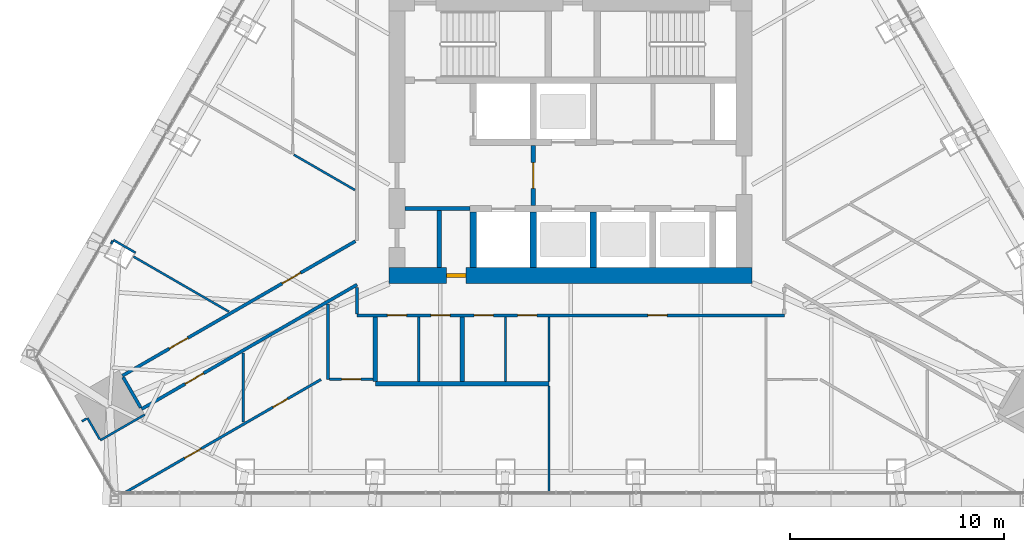
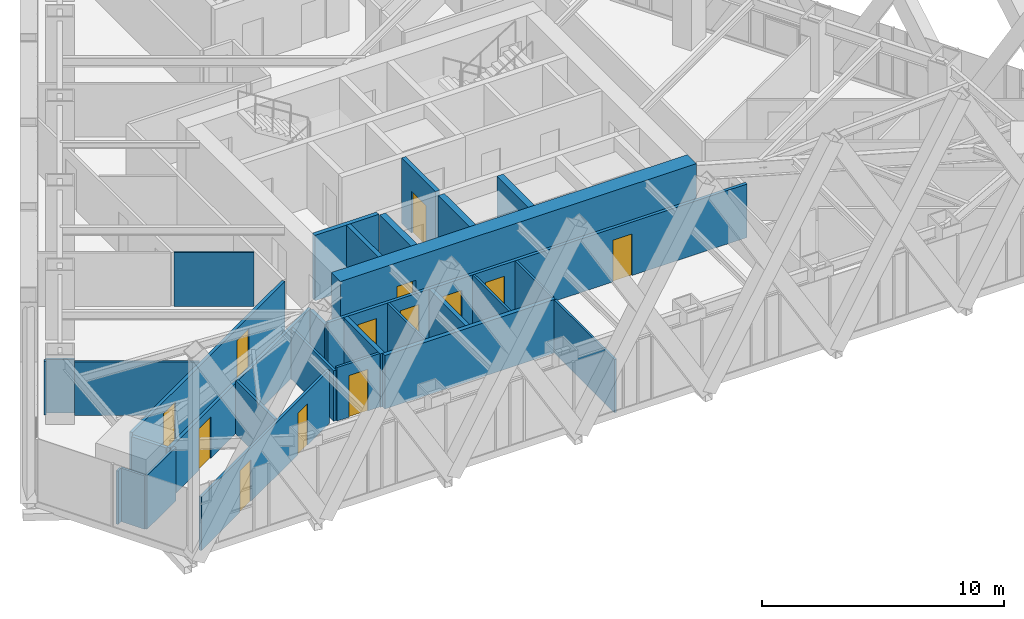
# One storey, part 18 of 23: 30 walls, 13 doors, 13 openings.
"""IFC4 building model written with IfcOpenShell, lengths in metres."""

from ifc_helpers import new_model, si_unit, direction, frame, frame_2d, origin, place, context, subcontext, project, spatial, rectangle, extrude, material, layer, layer_set, type_object, element, fill, save


model = new_model("IFC4")

# Units and contexts
model_context = context("Model", 3, precision=1e-05, world=origin(), true_north=direction((0.0, 1.0)))
body_context = subcontext(model_context, "Body", "Model", "MODEL_VIEW")
ifc_project = project(units=[si_unit("LENGTHUNIT", "METRE"), si_unit("AREAUNIT", "SQUARE_METRE"), si_unit("VOLUMEUNIT", "CUBIC_METRE"), si_unit("PLANEANGLEUNIT", "RADIAN"), si_unit("MASSUNIT", "GRAM", prefix="KILO")], contexts=[model_context])

# Site, building, storey
site_placement = place(None, origin())
site = spatial("IfcSite", under=ifc_project, at=site_placement, CompositionType="ELEMENT")
building_placement = place(site_placement, origin())
building = spatial("IfcBuilding", under=site, at=building_placement, Name="Firuza Gate Tower and Library", CompositionType="ELEMENT")
storey_placement = place(building_placement, frame((0.0, 0.0, 302.10009765625)))
storey = spatial("IfcBuildingStorey", under=building, at=storey_placement, Name="L73", CompositionType="ELEMENT", Elevation=302.10009765625)

# Walls
ifc_material_1 = material(Name="Plasterboard on steel studs", Category="steel")
ifc_layer_1 = layer(ifc_material_1, 0.199951171875)
ifc_layer_set_1 = layer_set([ifc_layer_1], Name="Core partition 200 EI 120")
wall_type_1 = type_object("IfcWallType", Name="Core partition 200 EI 120", PredefinedType="PARTITIONING", material=ifc_layer_set_1)
wall_1_placement = place(storey_placement, frame((67.25, 71.75, 0.0), z_axis=(0.0, 0.0, 1.0), x_axis=(1.0, 0.0, 0.0)))
element("IfcWall", 1, at=wall_1_placement, inside=storey, type_object=wall_type_1, Name="Core partition L73 1", PredefinedType="PARTITIONING", context=body_context, shape_type="SweptSolid", body=[
    extrude(rectangle(XDim=3.050048828125, YDim=0.199951171875, at=frame_2d((1.52490234375, 0.0))), origin(), (0.0, 0.0, 1.0), 3.2998046875),
])
wall_2_placement = place(storey_placement, frame((68.85009765625, 69.0, 0.0), z_axis=(0.0, 0.0, 1.0), x_axis=(0.0, 1.0, 0.0)))
element("IfcWall", 2, at=wall_2_placement, inside=storey, type_object=wall_type_1, Name="Core partition L73 4", PredefinedType="PARTITIONING", context=body_context, shape_type="SweptSolid", body=[
    extrude(rectangle(XDim=2.64990234375, YDim=0.199951171875, at=frame_2d((1.324951171875, 0.0))), origin(), (0.0, 0.0, 1.0), 3.2998046875),
])

# Wall, opening, door
ifc_material_2 = material(Name="Plasterboard on steel studs", Category="steel")
ifc_layer_2 = layer(ifc_material_2, 0.199951171875)
ifc_layer_set_2 = layer_set([ifc_layer_2], Name="Core partition 200 EI 60")
wall_type_2 = type_object("IfcWallType", Name="Core partition 200 EI 60", PredefinedType="PARTITIONING", material=ifc_layer_set_2)
wall_3_placement = place(storey_placement, frame((73.25, 71.89990234375, 0.0), z_axis=(0.0, 0.0, 1.0), x_axis=(0.0, 1.0, 0.0)))
wall_3 = element("IfcWall", 3, at=wall_3_placement, inside=storey, type_object=wall_type_2, Name="Core partition L73 5", PredefinedType="PARTITIONING", context=body_context, shape_type="SweptSolid", body=[
    extrude(rectangle(XDim=2.800048828125, YDim=0.199951171875, at=frame_2d((1.39990234375, 0.0))), origin(), (0.0, 0.0, 1.0), 3.2998046875),
])
opening_1_placement = place(wall_3_placement, frame((0.800048828125, 0.0, 0.0)))
opening_1 = element("IfcOpeningElement", 4, at=opening_1_placement, cuts=wall_3, Name="Opening L73-K14", PredefinedType="OPENING", context=body_context, shape_type="SweptSolid", body=[
    extrude(rectangle(XDim=1.199951171875, YDim=2.10009765625, at=frame_2d((0.60009765625, 1.050048828125))), frame((0.0, 0.10986328125, 0.0), z_axis=(0.0, -1.0, 0.0), x_axis=(1.0, 0.0, 0.0)), (0.0, 0.0, 1.0), 0.219970703125),
])
ifc_material_3 = material(Name="Steel", Category="steel")
door_type_1 = type_object("IfcDoorType", Name="Fire door 1200x2100 FD90S", OperationType="NOTDEFINED", PredefinedType="DOOR", material=ifc_material_3)
door_1_placement = place(opening_1_placement, origin())
door_1 = element("IfcDoor", 5, at=door_1_placement, inside=storey, type_object=door_type_1, Name="Door L73-K14", OperationType="SINGLE_SWING_LEFT", OverallHeight=2.10009765625, OverallWidth=1.199951171875, PredefinedType="DOOR", context=body_context, shape_type="SweptSolid", body=[
    extrude(rectangle(XDim=1.199951171875, YDim=2.10009765625, at=frame_2d((0.60009765625, 1.050048828125))), frame((0.0, 0.02490234375, 0.0), z_axis=(0.0, -1.0, 0.0), x_axis=(1.0, 0.0, 0.0)), (0.0, 0.0, 1.0), 0.050048828125),
])
fill(opening_1, door_1)

# Walls
ifc_material_4 = material(Name="Concrete C60/75", Category="concrete")
ifc_layer_3 = layer(ifc_material_4, 0.300048828125)
ifc_layer_set_3 = layer_set([ifc_layer_3], Name="Core wall 300 C60/75")
wall_type_3 = type_object("IfcWallType", Name="Core wall 300 C60/75", PredefinedType="SHEAR", material=ifc_layer_set_3)
for number, where, z_axis, x_axis, name in (
    (6, (70.449951171875, 69.0, 0.0), (0.0, 0.0, 1.0), (0.0, 1.0, 0.0), "Core wall L73 7"),
    (7, (73.25, 69.0, 0.0), (0.0, 0.0, 1.0), (0.0, 1.0, 0.0), "Core wall L73 9"),
    (8, (76.050048828125, 69.0, 0.0), (0.0, 0.0, 1.0), (0.0, 1.0, 0.0), "Core wall L73 11"),
):
    element("IfcWall", number, at=place(storey_placement, frame(where, z_axis=z_axis, x_axis=x_axis)), inside=storey, type_object=wall_type_3, Name=name, PredefinedType="SHEAR", context=body_context, shape_type="SweptSolid", body=[
        extrude(rectangle(XDim=2.60009765625, YDim=0.300048828125, at=frame_2d((1.300048828125, 0.0))), origin(), (0.0, 0.0, 1.0), 3.2998046875),
    ])

# Wall, opening, door
ifc_material_5 = material(Name="Concrete C60/75", Category="concrete")
ifc_layer_4 = layer(ifc_material_5, 0.75)
ifc_layer_set_4 = layer_set([ifc_layer_4], Name="Core wall 750 C60/75")
wall_type_4 = type_object("IfcWallType", Name="Core wall 750 C60/75", PredefinedType="SHEAR", material=ifc_layer_set_4)
wall_4_placement = place(storey_placement, frame((66.5, 68.625, 0.0), z_axis=(0.0, 0.0, 1.0), x_axis=(1.0, 0.0, 0.0)))
wall_4 = element("IfcWall", 9, at=wall_4_placement, inside=storey, type_object=wall_type_4, Name="Core wall L73 1", PredefinedType="SHEAR", context=body_context, shape_type="SweptSolid", body=[
    extrude(rectangle(XDim=17.0, YDim=0.75, at=frame_2d((8.5, 0.0))), origin(), (0.0, 0.0, 1.0), 3.2998046875),
])
opening_2_placement = place(wall_4_placement, frame((2.699951171875, 0.0, 0.0)))
opening_2 = element("IfcOpeningElement", 10, at=opening_2_placement, cuts=wall_4, Name="Opening L73-K18", PredefinedType="OPENING", context=body_context, shape_type="SweptSolid", body=[
    extrude(rectangle(XDim=0.89990234375, YDim=2.10009765625, at=frame_2d((0.449951171875, 1.050048828125))), frame((0.0, 0.385009765625, 0.0), z_axis=(0.0, -1.0, 0.0), x_axis=(1.0, 0.0, 0.0)), (0.0, 0.0, 1.0), 0.77001953125),
])
ifc_material_6 = material(Name="Steel", Category="steel")
door_type_2 = type_object("IfcDoorType", Name="Fire door 900x2100 FD30S", OperationType="NOTDEFINED", PredefinedType="DOOR", material=ifc_material_6)
door_2_placement = place(opening_2_placement, origin())
door_2 = element("IfcDoor", 11, at=door_2_placement, inside=storey, type_object=door_type_2, Name="Door L73-K18", OperationType="SINGLE_SWING_LEFT", OverallHeight=2.10009765625, OverallWidth=0.89990234375, PredefinedType="DOOR", context=body_context, shape_type="SweptSolid", body=[
    extrude(rectangle(XDim=0.89990234375, YDim=2.10009765625, at=frame_2d((0.449951171875, 1.050048828125))), frame((0.0, 0.094970703125, 0.0), z_axis=(0.0, -1.0, 0.0), x_axis=(1.0, 0.0, 0.0)), (0.0, 0.0, 1.0), 0.18994140625),
])
fill(opening_2, door_2)

# Wall, openings, doors
ifc_material_7 = material(Name="Gypsum board partition")
ifc_layer_5 = layer(ifc_material_7, 0.14990234375)
ifc_layer_set_5 = layer_set([ifc_layer_5], Name="Corridor wall 150 double board on steel studs")
wall_type_5 = type_object("IfcWallType", Name="Corridor wall 150 double board on steel studs", PredefinedType="PARTITIONING", material=ifc_layer_set_5)
wall_5_placement = place(storey_placement, frame((85.0, 66.75, 0.0), z_axis=(0.0, 0.0, 1.0), x_axis=(-1.0, 0.0, 0.0)))
wall_5 = element("IfcWall", 12, at=wall_5_placement, inside=storey, type_object=wall_type_5, Name="f:L73:w004", PredefinedType="PARTITIONING", context=body_context, shape_type="SweptSolid", body=[
    extrude(rectangle(XDim=20.0, YDim=0.14990234375, at=frame_2d((10.0, 0.0))), origin(), (0.0, 0.0, 1.0), 2.699951171875),
])
opening_3_placement = place(wall_5_placement, frame((5.486083984375, 0.0, 0.0)))
opening_3 = element("IfcOpeningElement", 13, at=opening_3_placement, cuts=wall_5, Name="Opening L73-03", PredefinedType="OPENING", context=body_context, shape_type="SweptSolid", body=[
    extrude(rectangle(XDim=0.89990234375, YDim=2.10009765625, at=frame_2d((0.449951171875, 1.050048828125))), frame((0.0, 0.0849609375, 0.0), z_axis=(0.0, -1.0, 0.0), x_axis=(1.0, 0.0, 0.0)), (0.0, 0.0, 1.0), 0.169921875),
])
opening_4_placement = place(wall_5_placement, frame((11.58203125, 0.0, 0.0)))
opening_4 = element("IfcOpeningElement", 14, at=opening_4_placement, cuts=wall_5, Name="Opening L73-04", PredefinedType="OPENING", context=body_context, shape_type="SweptSolid", body=[
    extrude(rectangle(XDim=0.89990234375, YDim=2.10009765625, at=frame_2d((0.449951171875, 1.050048828125))), frame((0.0, 0.0849609375, 0.0), z_axis=(0.0, -1.0, 0.0), x_axis=(1.0, 0.0, 0.0)), (0.0, 0.0, 1.0), 0.169921875),
])
opening_5_placement = place(wall_5_placement, frame((13.614013671875, 0.0, 0.0)))
opening_5 = element("IfcOpeningElement", 15, at=opening_5_placement, cuts=wall_5, Name="Opening L73-05", PredefinedType="OPENING", context=body_context, shape_type="SweptSolid", body=[
    extrude(rectangle(XDim=0.89990234375, YDim=2.10009765625, at=frame_2d((0.449951171875, 1.050048828125))), frame((0.0, 0.0849609375, 0.0), z_axis=(0.0, -1.0, 0.0), x_axis=(1.0, 0.0, 0.0)), (0.0, 0.0, 1.0), 0.169921875),
])
opening_6_placement = place(wall_5_placement, frame((15.64599609375, 0.0, 0.0)))
opening_6 = element("IfcOpeningElement", 16, at=opening_6_placement, cuts=wall_5, Name="Opening L73-06", PredefinedType="OPENING", context=body_context, shape_type="SweptSolid", body=[
    extrude(rectangle(XDim=0.89990234375, YDim=2.10009765625, at=frame_2d((0.449951171875, 1.050048828125))), frame((0.0, 0.0849609375, 0.0), z_axis=(0.0, -1.0, 0.0), x_axis=(1.0, 0.0, 0.0)), (0.0, 0.0, 1.0), 0.169921875),
])
opening_7_placement = place(wall_5_placement, frame((17.677978515625, 0.0, 0.0)))
opening_7 = element("IfcOpeningElement", 17, at=opening_7_placement, cuts=wall_5, Name="Opening L73-07", PredefinedType="OPENING", context=body_context, shape_type="SweptSolid", body=[
    extrude(rectangle(XDim=0.89990234375, YDim=2.10009765625, at=frame_2d((0.449951171875, 1.050048828125))), frame((0.0, 0.0849609375, 0.0), z_axis=(0.0, -1.0, 0.0), x_axis=(1.0, 0.0, 0.0)), (0.0, 0.0, 1.0), 0.169921875),
])
ifc_material_8 = material(Name="Steel door and timber leaf", Category="steel")
door_type_3 = type_object("IfcDoorType", Name="Fire door 900 x 2100 steel frame, timber leaf", OperationType="NOTDEFINED", PredefinedType="DOOR", material=ifc_material_8)
door_3_placement = place(opening_3_placement, origin())
door_3 = element("IfcDoor", 18, at=door_3_placement, inside=storey, type_object=door_type_3, Name="f:L73:d003", OperationType="SINGLE_SWING_RIGHT", OverallHeight=2.10009765625, OverallWidth=0.89990234375, PredefinedType="DOOR", context=body_context, shape_type="SweptSolid", body=[
    extrude(rectangle(XDim=0.89990234375, YDim=2.10009765625, at=frame_2d((0.449951171875, 1.050048828125))), frame((0.0, 0.02490234375, 0.0), z_axis=(0.0, -1.0, 0.0), x_axis=(1.0, 0.0, 0.0)), (0.0, 0.0, 1.0), 0.050048828125),
])
fill(opening_3, door_3)
door_4_placement = place(opening_4_placement, origin())
door_4 = element("IfcDoor", 19, at=door_4_placement, inside=storey, type_object=door_type_3, Name="f:L73:d004", OperationType="SINGLE_SWING_LEFT", OverallHeight=2.10009765625, OverallWidth=0.89990234375, PredefinedType="DOOR", context=body_context, shape_type="SweptSolid", body=[
    extrude(rectangle(XDim=0.89990234375, YDim=2.10009765625, at=frame_2d((0.449951171875, 1.050048828125))), frame((0.0, 0.02490234375, 0.0), z_axis=(0.0, -1.0, 0.0), x_axis=(1.0, 0.0, 0.0)), (0.0, 0.0, 1.0), 0.050048828125),
])
fill(opening_4, door_4)
door_5_placement = place(opening_5_placement, origin())
door_5 = element("IfcDoor", 20, at=door_5_placement, inside=storey, type_object=door_type_3, Name="f:L73:d005", OperationType="SINGLE_SWING_RIGHT", OverallHeight=2.10009765625, OverallWidth=0.89990234375, PredefinedType="DOOR", context=body_context, shape_type="SweptSolid", body=[
    extrude(rectangle(XDim=0.89990234375, YDim=2.10009765625, at=frame_2d((0.449951171875, 1.050048828125))), frame((0.0, 0.02490234375, 0.0), z_axis=(0.0, -1.0, 0.0), x_axis=(1.0, 0.0, 0.0)), (0.0, 0.0, 1.0), 0.050048828125),
])
fill(opening_5, door_5)
door_6_placement = place(opening_6_placement, origin())
door_6 = element("IfcDoor", 21, at=door_6_placement, inside=storey, type_object=door_type_3, Name="f:L73:d006", OperationType="SINGLE_SWING_LEFT", OverallHeight=2.10009765625, OverallWidth=0.89990234375, PredefinedType="DOOR", context=body_context, shape_type="SweptSolid", body=[
    extrude(rectangle(XDim=0.89990234375, YDim=2.10009765625, at=frame_2d((0.449951171875, 1.050048828125))), frame((0.0, 0.02490234375, 0.0), z_axis=(0.0, -1.0, 0.0), x_axis=(1.0, 0.0, 0.0)), (0.0, 0.0, 1.0), 0.050048828125),
])
fill(opening_6, door_6)
door_7_placement = place(opening_7_placement, origin())
door_7 = element("IfcDoor", 22, at=door_7_placement, inside=storey, type_object=door_type_3, Name="f:L73:d007", OperationType="SINGLE_SWING_RIGHT", OverallHeight=2.10009765625, OverallWidth=0.89990234375, PredefinedType="DOOR", context=body_context, shape_type="SweptSolid", body=[
    extrude(rectangle(XDim=0.89990234375, YDim=2.10009765625, at=frame_2d((0.449951171875, 1.050048828125))), frame((0.0, 0.02490234375, 0.0), z_axis=(0.0, -1.0, 0.0), x_axis=(1.0, 0.0, 0.0)), (0.0, 0.0, 1.0), 0.050048828125),
])
fill(opening_7, door_7)

# Wall, opening, door
wall_6_placement = place(storey_placement, frame((65.0, 68.187255859375, 0.0), z_axis=(0.0, 0.0, 1.0), x_axis=(-0.866026430432, -0.49999822179, 0.0)))
wall_6 = element("IfcWall", 23, at=wall_6_placement, inside=storey, type_object=wall_type_5, Name="f:L73:w020", PredefinedType="PARTITIONING", context=body_context, shape_type="SweptSolid", body=[
    extrude(rectangle(XDim=11.6484375, YDim=0.14990234375, at=frame_2d((5.82421875, 0.0))), origin(), (0.0, 0.0, 1.0), 2.546875),
])
opening_8_placement = place(wall_6_placement, frame((8.29638671875, 0.0, 0.0)))
opening_8 = element("IfcOpeningElement", 24, at=opening_8_placement, cuts=wall_6, Name="Opening L73-14", PredefinedType="OPENING", context=body_context, shape_type="SweptSolid", body=[
    extrude(rectangle(XDim=1.0, YDim=2.10009765625, at=frame_2d((0.5, 1.050048828125))), frame((0.0, 0.0849609375, 0.0), z_axis=(0.0, -1.0, 0.0), x_axis=(1.0, 0.0, 0.0)), (0.0, 0.0, 1.0), 0.169921875),
])
ifc_material_9 = material(Name="Steel door and timber leaf", Category="steel")
door_type_4 = type_object("IfcDoorType", Name="Fire door 1000 x 2100 steel frame, timber leaf", OperationType="NOTDEFINED", PredefinedType="DOOR", material=ifc_material_9)
door_8_placement = place(opening_8_placement, origin())
door_8 = element("IfcDoor", 25, at=door_8_placement, inside=storey, type_object=door_type_4, Name="f:L73:d014", OperationType="SINGLE_SWING_RIGHT", OverallHeight=2.10009765625, OverallWidth=1.0, PredefinedType="DOOR", context=body_context, shape_type="SweptSolid", body=[
    extrude(rectangle(XDim=1.0, YDim=2.10009765625, at=frame_2d((0.5, 1.050048828125))), frame((0.0, 0.02490234375, 0.0), z_axis=(0.0, -1.0, 0.0), x_axis=(1.0, 0.0, 0.0)), (0.0, 0.0, 1.0), 0.050048828125),
])
fill(opening_8, door_8)

# Wall, openings, doors
wall_7_placement = place(storey_placement, frame((54.012451171875, 63.922119140625, 0.0), z_axis=(0.0, 0.0, 1.0), x_axis=(0.866028779199, 0.499994153564, 0.0)))
wall_7 = element("IfcWall", 26, at=wall_7_placement, inside=storey, type_object=wall_type_5, Name="f:L73:w022", PredefinedType="PARTITIONING", context=body_context, shape_type="SweptSolid", body=[
    extrude(rectangle(XDim=12.600830078125, YDim=0.14990234375, at=frame_2d((6.30029296875, 0.0))), origin(), (0.0, 0.0, 1.0), 2.699951171875),
])
opening_9_placement = place(wall_7_placement, frame((2.542236328125, 0.0, 0.0)))
opening_9 = element("IfcOpeningElement", 27, at=opening_9_placement, cuts=wall_7, Name="Opening L73-15", PredefinedType="OPENING", context=body_context, shape_type="SweptSolid", body=[
    extrude(rectangle(XDim=1.0, YDim=2.10009765625, at=frame_2d((0.5, 1.050048828125))), frame((0.0, 0.0849609375, 0.0), z_axis=(0.0, -1.0, 0.0), x_axis=(1.0, 0.0, 0.0)), (0.0, 0.0, 1.0), 0.169921875),
])
opening_10_placement = place(wall_7_placement, frame((8.63916015625, 0.0, 0.0)))
opening_10 = element("IfcOpeningElement", 28, at=opening_10_placement, cuts=wall_7, Name="Opening L73-16", PredefinedType="OPENING", context=body_context, shape_type="SweptSolid", body=[
    extrude(rectangle(XDim=1.0, YDim=2.10009765625, at=frame_2d((0.5, 1.050048828125))), frame((0.0, 0.0849609375, 0.0), z_axis=(0.0, -1.0, 0.0), x_axis=(1.0, 0.0, 0.0)), (0.0, 0.0, 1.0), 0.169921875),
])
door_9_placement = place(opening_9_placement, origin())
door_9 = element("IfcDoor", 29, at=door_9_placement, inside=storey, type_object=door_type_4, Name="f:L73:d015", OperationType="SINGLE_SWING_LEFT", OverallHeight=2.10009765625, OverallWidth=1.0, PredefinedType="DOOR", context=body_context, shape_type="SweptSolid", body=[
    extrude(rectangle(XDim=1.0, YDim=2.10009765625, at=frame_2d((0.5, 1.050048828125))), frame((0.0, 0.02490234375, 0.0), z_axis=(0.0, -1.0, 0.0), x_axis=(1.0, 0.0, 0.0)), (0.0, 0.0, 1.0), 0.050048828125),
])
fill(opening_9, door_9)
door_10_placement = place(opening_10_placement, origin())
door_10 = element("IfcDoor", 30, at=door_10_placement, inside=storey, type_object=door_type_4, Name="f:L73:d016", OperationType="SINGLE_SWING_RIGHT", OverallHeight=2.10009765625, OverallWidth=1.0, PredefinedType="DOOR", context=body_context, shape_type="SweptSolid", body=[
    extrude(rectangle(XDim=1.0, YDim=2.10009765625, at=frame_2d((0.5, 1.050048828125))), frame((0.0, 0.02490234375, 0.0), z_axis=(0.0, -1.0, 0.0), x_axis=(1.0, 0.0, 0.0)), (0.0, 0.0, 1.0), 0.050048828125),
])
fill(opening_10, door_10)

# Walls
wall_8_placement = place(storey_placement, frame((65.0, 66.824951171875, 0.0), z_axis=(0.0, 0.0, 1.0), x_axis=(0.0, 1.0, 0.0)))
element("IfcWall", 31, at=wall_8_placement, inside=storey, type_object=wall_type_5, Name="f:L73:w046", PredefinedType="PARTITIONING", context=body_context, shape_type="SweptSolid", body=[
    extrude(rectangle(XDim=1.225830078125, YDim=0.14990234375, at=frame_2d((0.61279296875, 0.0))), origin(), (0.0, 0.0, 1.0), 2.546875),
])
wall_9_placement = place(storey_placement, frame((54.8720703125, 62.432861328125, 0.0), z_axis=(0.0, 0.0, 1.0), x_axis=(-0.499988108725, 0.866032269107, 0.0)))
element("IfcWall", 32, at=wall_9_placement, inside=storey, type_object=wall_type_5, Name="f:L73:w053", PredefinedType="PARTITIONING", context=body_context, shape_type="SweptSolid", body=[
    extrude(rectangle(XDim=1.64404296875, YDim=0.14990234375, at=frame_2d((0.822021484375, 0.0))), origin(), (0.0, 0.0, 1.0), 2.546875),
])
ifc_material_10 = material(Name="Gypsum board partition")
ifc_layer_6 = layer(ifc_material_10, 0.199951171875)
ifc_layer_set_6 = layer_set([ifc_layer_6], Name="Demising wall 200 acoustic double stud")
wall_type_6 = type_object("IfcWallType", Name="Demising wall 200 acoustic double stud", PredefinedType="PARTITIONING", material=ifc_layer_set_6)
wall_10_placement = place(storey_placement, frame((65.85595703125, 63.550048828125, 0.0), z_axis=(0.0, 0.0, 1.0), x_axis=(1.0, 0.0, 0.0)))
element("IfcWall", 33, at=wall_10_placement, inside=storey, type_object=wall_type_6, Name="f:L73:w001", PredefinedType="PARTITIONING", context=body_context, shape_type="SweptSolid", body=[
    extrude(rectangle(XDim=8.1279296875, YDim=0.199951171875, at=frame_2d((4.06396484375, 0.0))), origin(), (0.0, 0.0, 1.0), 2.699951171875),
])
for number, where, z_axis, x_axis, name in (
    (34, (69.919921875, 63.64990234375, 0.0), (0.0, 0.0, 1.0), (0.0, 1.0, 0.0), "f:L73:w043"),
    (35, (65.85595703125, 63.64990234375, 0.0), (0.0, 0.0, 1.0), (0.0, 1.0, 0.0), "f:L73:w045"),
):
    element("IfcWall", number, at=place(storey_placement, frame(where, z_axis=z_axis, x_axis=x_axis)), inside=storey, type_object=wall_type_6, Name=name, PredefinedType="PARTITIONING", context=body_context, shape_type="SweptSolid", body=[
        extrude(rectangle(XDim=3.025146484375, YDim=0.199951171875, at=frame_2d((1.5126953125, 0.0))), origin(), (0.0, 0.0, 1.0), 2.699951171875),
    ])
ifc_material_11 = material(Name="Gypsum board partition")
ifc_layer_7 = layer(ifc_material_11, 0.10009765625)
ifc_layer_set_7 = layer_set([ifc_layer_7], Name="Partition 100 gypsum board on steel studs")
wall_type_7 = type_object("IfcWallType", Name="Partition 100 gypsum board on steel studs", PredefinedType="PARTITIONING", material=ifc_layer_set_7)
wall_11_placement = place(storey_placement, frame((52.984130859375, 60.903564453125, 0.0), z_axis=(0.0, 0.0, 1.0), x_axis=(0.866011011868, 0.500024926702, 0.0)))
element("IfcWall", 36, at=wall_11_placement, inside=storey, type_object=wall_type_7, Name="f:L73:w019", PredefinedType="PARTITIONING", context=body_context, shape_type="SweptSolid", body=[
    extrude(rectangle(XDim=2.39892578125, YDim=0.10009765625, at=frame_2d((1.199462890625, 0.0))), origin(), (0.0, 0.0, 1.0), 2.699951171875),
])
wall_12_placement = place(storey_placement, frame((52.123779296875, 61.79248046875, 0.0), z_axis=(0.0, 0.0, 1.0), x_axis=(0.866006330792, 0.500033033937, 0.0)))
element("IfcWall", 37, at=wall_12_placement, inside=storey, type_object=wall_type_7, Name="f:L73:w021", PredefinedType="PARTITIONING", context=body_context, shape_type="SweptSolid", body=[
    extrude(rectangle(XDim=0.24951171875, YDim=0.10009765625, at=frame_2d((0.124755859375, 0.0))), origin(), (0.0, 0.0, 1.0), 2.699951171875),
])
wall_13_placement = place(storey_placement, frame((53.4951171875, 70.102294921875, 0.0), z_axis=(0.0, 0.0, 1.0), x_axis=(0.499906209203, 0.866079547155, 0.0)))
element("IfcWall", 38, at=wall_13_placement, inside=storey, type_object=wall_type_7, Name="f:L73:w026", PredefinedType="PARTITIONING", context=body_context, shape_type="SweptSolid", body=[
    extrude(rectangle(XDim=0.1533203125, YDim=0.10009765625, at=frame_2d((0.07666015625, 0.0))), origin(), (0.0, 0.0, 1.0), 2.699951171875),
])
wall_14_placement = place(storey_placement, frame((73.98388671875, 58.46484375, 0.0), z_axis=(0.0, 0.0, 1.0), x_axis=(0.0, 1.0, 0.0)))
element("IfcWall", 39, at=wall_14_placement, inside=storey, type_object=wall_type_7, Name="f:L73:w038", PredefinedType="PARTITIONING", context=body_context, shape_type="SweptSolid", body=[
    extrude(rectangle(XDim=4.985107421875, YDim=0.10009765625, at=frame_2d((2.49267578125, 0.0))), origin(), (0.0, 0.0, 1.0), 2.68798828125),
])
for number, where, z_axis, x_axis, name in (
    (40, (71.951904296875, 63.64990234375, 0.0), (0.0, 0.0, 1.0), (0.0, 1.0, 0.0), "f:L73:w040"),
    (41, (67.887939453125, 63.64990234375, 0.0), (0.0, 0.0, 1.0), (0.0, 1.0, 0.0), "f:L73:w044"),
):
    element("IfcWall", number, at=place(storey_placement, frame(where, z_axis=z_axis, x_axis=x_axis)), inside=storey, type_object=wall_type_7, Name=name, PredefinedType="PARTITIONING", context=body_context, shape_type="SweptSolid", body=[
        extrude(rectangle(XDim=3.025146484375, YDim=0.10009765625, at=frame_2d((1.5126953125, 0.0))), origin(), (0.0, 0.0, 1.0), 2.699951171875),
    ])
wall_15_placement = place(storey_placement, frame((52.95849609375, 60.947021484375, 0.0), z_axis=(0.0, 0.0, 1.0), x_axis=(-0.499955427682, 0.866051136095, 0.0)))
element("IfcWall", 42, at=wall_15_placement, inside=storey, type_object=wall_type_7, Name="f:L73:w054", PredefinedType="PARTITIONING", context=body_context, shape_type="SweptSolid", body=[
    extrude(rectangle(XDim=1.14892578125, YDim=0.10009765625, at=frame_2d((0.574462890625, 0.0))), origin(), (0.0, 0.0, 1.0), 2.699951171875),
])
wall_16_placement = place(storey_placement, frame((64.899169921875, 72.61962890625, 0.0), z_axis=(0.0, 0.0, 1.0), x_axis=(-0.866032610133, 0.499987518031, 0.0)))
element("IfcWall", 43, at=wall_16_placement, inside=storey, type_object=wall_type_7, Name="f:L73:w064", PredefinedType="PARTITIONING", context=body_context, shape_type="SweptSolid", body=[
    extrude(rectangle(XDim=3.29541015625, YDim=0.10009765625, at=frame_2d((1.647705078125, 0.0))), origin(), (0.0, 0.0, 1.0), 2.699951171875),
])
wall_17_placement = place(storey_placement, frame((54.6357421875, 69.679443359375, 0.0), z_axis=(0.0, 0.0, 1.0), x_axis=(-0.865978732077, 0.500080829057, 0.0)))
element("IfcWall", 44, at=wall_17_placement, inside=storey, type_object=wall_type_7, Name="f:L73:w065", PredefinedType="PARTITIONING", context=body_context, shape_type="SweptSolid", body=[
    extrude(rectangle(XDim=1.198974609375, YDim=0.10009765625, at=frame_2d((0.599609375, 0.0))), origin(), (0.0, 0.0, 1.0), 2.699951171875),
])
wall_18_placement = place(storey_placement, frame((59.0048828125, 66.921142578125, 0.0), z_axis=(0.0, 0.0, 1.0), x_axis=(-0.866022552607, 0.500004938352, 0.0)))
element("IfcWall", 45, at=wall_18_placement, inside=storey, type_object=wall_type_7, Name="f:L73:w066", PredefinedType="PARTITIONING", context=body_context, shape_type="SweptSolid", body=[
    extrude(rectangle(XDim=5.162109375, YDim=0.10009765625, at=frame_2d((2.5810546875, 0.0))), origin(), (0.0, 0.0, 1.0), 2.699951171875),
])
wall_19_placement = place(storey_placement, frame((73.98388671875, 63.64990234375, 0.0), z_axis=(0.0, 0.0, 1.0), x_axis=(0.0, 1.0, 0.0)))
element("IfcWall", 46, at=wall_19_placement, inside=storey, type_object=wall_type_7, Name="f:L73:w067", PredefinedType="PARTITIONING", context=body_context, shape_type="SweptSolid", body=[
    extrude(rectangle(XDim=3.025146484375, YDim=0.10009765625, at=frame_2d((1.5126953125, 0.0))), origin(), (0.0, 0.0, 1.0), 2.699951171875),
])

# Wall, opening, door
ifc_material_12 = material(Name="Gypsum board partition")
ifc_layer_8 = layer(ifc_material_12, 0.1201171875)
ifc_layer_set_8 = layer_set([ifc_layer_8], Name="Wet-area partition 120 moisture-resistant board")
wall_type_8 = type_object("IfcWallType", Name="Wet-area partition 120 moisture-resistant board", PredefinedType="PARTITIONING", material=ifc_layer_set_8)
wall_20_placement = place(storey_placement, frame((63.704345703125, 63.75, 0.0), z_axis=(0.0, 0.0, 1.0), x_axis=(1.0, 0.0, 0.0)))
wall_20 = element("IfcWall", 47, at=wall_20_placement, inside=storey, type_object=wall_type_8, Name="f:L73:w002", PredefinedType="PARTITIONING", context=body_context, shape_type="SweptSolid", body=[
    extrude(rectangle(XDim=2.0517578125, YDim=0.1201171875, at=frame_2d((1.02587890625, 0.0))), origin(), (0.0, 0.0, 1.0), 2.699951171875),
])
opening_11_placement = place(wall_20_placement, frame((0.57568359375, 0.0, 0.0)))
opening_11 = element("IfcOpeningElement", 48, at=opening_11_placement, cuts=wall_20, Name="Opening L73-01", PredefinedType="OPENING", context=body_context, shape_type="SweptSolid", body=[
    extrude(rectangle(XDim=0.89990234375, YDim=2.10009765625, at=frame_2d((0.449951171875, 1.050048828125))), frame((0.0, 0.070068359375, 0.0), z_axis=(0.0, -1.0, 0.0), x_axis=(1.0, 0.0, 0.0)), (0.0, 0.0, 1.0), 0.14013671875),
])
ifc_material_13 = material(Name="Timber door", Category="wood")
door_type_5 = type_object("IfcDoorType", Name="Door 900 x 2100 timber leaf", OperationType="NOTDEFINED", PredefinedType="DOOR", material=ifc_material_13)
door_11_placement = place(opening_11_placement, origin())
door_11 = element("IfcDoor", 49, at=door_11_placement, inside=storey, type_object=door_type_5, Name="f:L73:d001", OperationType="SINGLE_SWING_LEFT", OverallHeight=2.10009765625, OverallWidth=0.89990234375, PredefinedType="DOOR", context=body_context, shape_type="SweptSolid", body=[
    extrude(rectangle(XDim=0.89990234375, YDim=2.10009765625, at=frame_2d((0.449951171875, 1.050048828125))), frame((0.0, 0.02490234375, 0.0), z_axis=(0.0, -1.0, 0.0), x_axis=(1.0, 0.0, 0.0)), (0.0, 0.0, 1.0), 0.050048828125),
])
fill(opening_11, door_11)

# Wall, openings, doors
wall_21_placement = place(storey_placement, frame((54.159912109375, 58.46484375, 0.0), z_axis=(0.0, 0.0, 1.0), x_axis=(0.866034434898, 0.499984357326, 0.0)))
wall_21 = element("IfcWall", 50, at=wall_21_placement, inside=storey, type_object=wall_type_8, Name="f:L73:w018", PredefinedType="PARTITIONING", context=body_context, shape_type="SweptSolid", body=[
    extrude(rectangle(XDim=10.570556640625, YDim=0.1201171875, at=frame_2d((5.28515625, 0.0))), origin(), (0.0, 0.0, 1.0), 2.699951171875),
])
opening_12_placement = place(wall_21_placement, frame((3.19677734375, 0.0, 0.0)))
opening_12 = element("IfcOpeningElement", 51, at=opening_12_placement, cuts=wall_21, Name="Opening L73-12", PredefinedType="OPENING", context=body_context, shape_type="SweptSolid", body=[
    extrude(rectangle(XDim=0.89990234375, YDim=2.10009765625, at=frame_2d((0.449951171875, 1.050048828125))), frame((0.0, 0.070068359375, 0.0), z_axis=(0.0, -1.0, 0.0), x_axis=(1.0, 0.0, 0.0)), (0.0, 0.0, 1.0), 0.14013671875),
])
opening_13_placement = place(wall_21_placement, frame((7.970458984375, 0.0, 0.0)))
opening_13 = element("IfcOpeningElement", 52, at=opening_13_placement, cuts=wall_21, Name="Opening L73-13", PredefinedType="OPENING", context=body_context, shape_type="SweptSolid", body=[
    extrude(rectangle(XDim=0.800048828125, YDim=2.10009765625, at=frame_2d((0.39990234375, 1.050048828125))), frame((0.0, 0.070068359375, 0.0), z_axis=(0.0, -1.0, 0.0), x_axis=(1.0, 0.0, 0.0)), (0.0, 0.0, 1.0), 0.14013671875),
])
ifc_material_14 = material(Name="Timber door", Category="wood")
door_type_6 = type_object("IfcDoorType", Name="Door 800 x 2100 timber leaf", OperationType="NOTDEFINED", PredefinedType="DOOR", material=ifc_material_14)
door_12_placement = place(opening_13_placement, origin())
door_12 = element("IfcDoor", 53, at=door_12_placement, inside=storey, type_object=door_type_6, Name="f:L73:d013", OperationType="SINGLE_SWING_RIGHT", OverallHeight=2.10009765625, OverallWidth=0.800048828125, PredefinedType="DOOR", context=body_context, shape_type="SweptSolid", body=[
    extrude(rectangle(XDim=0.800048828125, YDim=2.10009765625, at=frame_2d((0.39990234375, 1.050048828125))), frame((0.0, 0.02490234375, 0.0), z_axis=(0.0, -1.0, 0.0), x_axis=(1.0, 0.0, 0.0)), (0.0, 0.0, 1.0), 0.050048828125),
])
fill(opening_13, door_12)
door_13_placement = place(opening_12_placement, origin())
door_13 = element("IfcDoor", 54, at=door_13_placement, inside=storey, type_object=door_type_5, Name="f:L73:d012", OperationType="SINGLE_SWING_RIGHT", OverallHeight=2.10009765625, OverallWidth=0.89990234375, PredefinedType="DOOR", context=body_context, shape_type="SweptSolid", body=[
    extrude(rectangle(XDim=0.89990234375, YDim=2.10009765625, at=frame_2d((0.449951171875, 1.050048828125))), frame((0.0, 0.02490234375, 0.0), z_axis=(0.0, -1.0, 0.0), x_axis=(1.0, 0.0, 0.0)), (0.0, 0.0, 1.0), 0.050048828125),
])
fill(opening_12, door_13)

# Walls
wall_22_placement = place(storey_placement, frame((63.639892578125, 63.75, 0.0), z_axis=(0.0, 0.0, 1.0), x_axis=(0.0, 1.0, 0.0)))
element("IfcWall", 55, at=wall_22_placement, inside=storey, type_object=wall_type_8, Name="f:L73:w048", PredefinedType="PARTITIONING", context=body_context, shape_type="SweptSolid", body=[
    extrude(rectangle(XDim=3.525390625, YDim=0.1201171875, at=frame_2d((1.7626953125, 0.0))), origin(), (0.0, 0.0, 1.0), 2.546875),
])
wall_23_placement = place(storey_placement, frame((59.677001953125, 61.759033203125, 0.0), z_axis=(0.0, 0.0, 1.0), x_axis=(0.0, 1.0, 0.0)))
element("IfcWall", 56, at=wall_23_placement, inside=storey, type_object=wall_type_8, Name="f:L73:w050", PredefinedType="PARTITIONING", context=body_context, shape_type="SweptSolid", body=[
    extrude(rectangle(XDim=3.22802734375, YDim=0.1201171875, at=frame_2d((1.614013671875, 0.0))), origin(), (0.0, 0.0, 1.0), 2.699951171875),
])

save(model, "model.ifc")
